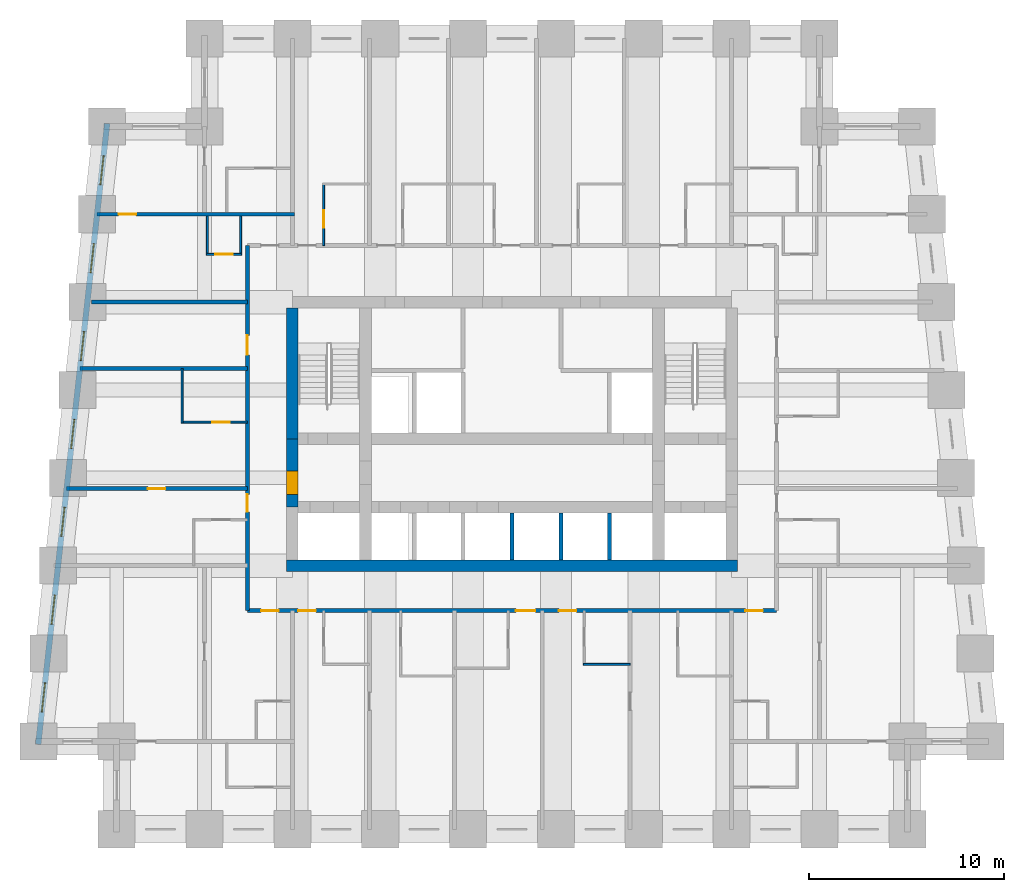
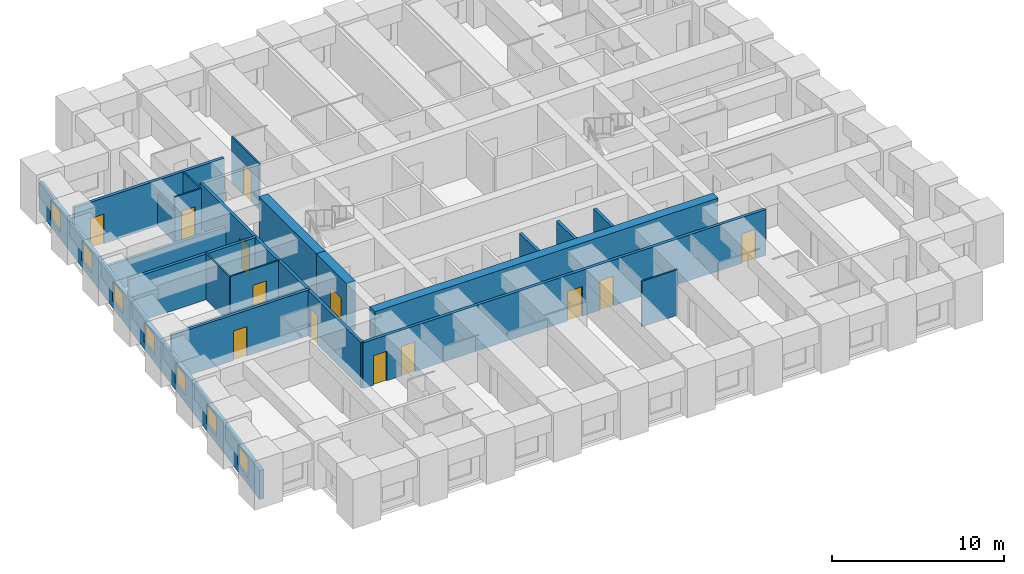
# One storey, part 3 of 8: 20 walls, 13 doors, 7 windows, 20 openings.
"""IFC4 building model written with IfcOpenShell, lengths in metres."""

from ifc_helpers import new_model, si_unit, direction, frame, frame_2d, origin, place, context, subcontext, project, spatial, rectangle, extrude, material, layer, layer_set, type_object, element, fill, save


model = new_model("IFC4")

# Units and contexts
model_context = context("Model", 3, precision=1e-05, world=origin(), true_north=direction((0.0, 1.0)))
body_context = subcontext(model_context, "Body", "Model", "MODEL_VIEW")
ifc_project = project(units=[si_unit("LENGTHUNIT", "METRE"), si_unit("AREAUNIT", "SQUARE_METRE"), si_unit("VOLUMEUNIT", "CUBIC_METRE"), si_unit("PLANEANGLEUNIT", "RADIAN"), si_unit("MASSUNIT", "GRAM", prefix="KILO")], contexts=[model_context])

# Site, building, storey
site_placement = place(None, origin())
site = spatial("IfcSite", under=ifc_project, at=site_placement, CompositionType="ELEMENT")
building_placement = place(site_placement, origin())
building = spatial("IfcBuilding", under=site, at=building_placement, Name="Kilele Tower Hotel", CompositionType="ELEMENT")
storey_placement = place(building_placement, frame((0.0, 0.0, 50.699951171875)))
storey = spatial("IfcBuildingStorey", under=building, at=storey_placement, Name="L11", CompositionType="ELEMENT", Elevation=50.699951171875)

# Wall
ifc_material_1 = material(Name="Moisture-resistant board")
ifc_layer_1 = layer(ifc_material_1, 0.10009765625)
ifc_layer_set_1 = layer_set([ifc_layer_1], Name="Moisture-resistant board")
wall_type_1 = type_object("IfcWallType", Name="Bathroom partition 100", PredefinedType="PLUMBINGWALL", material=ifc_layer_set_1)
wall_1_placement = place(storey_placement, frame((28.39990234375, 8.449951171875, 0.0), z_axis=(0.0, 0.0, 1.0), x_axis=(1.0, 0.0, 0.0)))
element("IfcWall", 1, at=wall_1_placement, inside=storey, type_object=wall_type_1, Name="Bathroom partition 100 L11", PredefinedType="PLUMBINGWALL", context=body_context, shape_type="SweptSolid", body=[
    extrude(rectangle(XDim=2.400146484375, YDim=0.10009765625, at=frame_2d((1.2001953125, 0.0))), origin(), (0.0, 0.0, 1.0), 3.25),
])

# Wall, opening, door
wall_2_placement = place(storey_placement, frame((15.10009765625, 29.89990234375, 0.0), z_axis=(0.0, 0.0, 1.0), x_axis=(0.0, 1.0, 0.0)))
wall_2 = element("IfcWall", 2, at=wall_2_placement, inside=storey, type_object=wall_type_1, Name="Bathroom partition 100 L11", PredefinedType="PLUMBINGWALL", context=body_context, shape_type="SweptSolid", body=[
    extrude(rectangle(XDim=3.2001953125, YDim=0.10009765625, at=frame_2d((1.60009765625, 0.0))), origin(), (0.0, 0.0, 1.0), 3.25),
])
opening_1_placement = place(wall_2_placement, frame((0.89990234375, 0.0, 0.0)))
opening_1 = element("IfcOpeningElement", 3, at=opening_1_placement, cuts=wall_2, Name="Opening D2A", PredefinedType="OPENING", context=body_context, shape_type="SweptSolid", body=[
    extrude(rectangle(XDim=0.89990234375, YDim=2.10009765625, at=frame_2d((0.449951171875, 1.050048828125))), frame((0.0, 0.06005859375, 0.0), z_axis=(0.0, -1.0, 0.0), x_axis=(1.0, 0.0, 0.0)), (0.0, 0.0, 1.0), 0.1201171875),
])
ifc_material_2 = material(Name="Timber door leaf in hardwood frame", Category="wood")
door_type_1 = type_object("IfcDoorType", Name="Bathroom door 900", OperationType="SINGLE_SWING_LEFT", PredefinedType="DOOR", material=ifc_material_2)
door_1_placement = place(opening_1_placement, origin())
door_1 = element("IfcDoor", 4, at=door_1_placement, inside=storey, type_object=door_type_1, Name="Bathroom door 1109B", OperationType="SINGLE_SWING_LEFT", OverallHeight=2.10009765625, OverallWidth=0.89990234375, PredefinedType="DOOR", context=body_context, shape_type="SweptSolid", body=[
    extrude(rectangle(XDim=0.89990234375, YDim=2.10009765625, at=frame_2d((0.449951171875, 1.050048828125))), frame((0.0, 0.02490234375, 0.0), z_axis=(0.0, -1.0, 0.0), x_axis=(1.0, 0.0, 0.0)), (0.0, 0.0, 1.0), 0.050048828125),
])
fill(opening_1, door_1)

# Wall
wall_3_placement = place(storey_placement, frame((7.85009765625, 20.800048828125, 0.0), z_axis=(0.0, 0.0, 1.0), x_axis=(0.0, 1.0, 0.0)))
element("IfcWall", 5, at=wall_3_placement, inside=storey, type_object=wall_type_1, Name="Bathroom partition 100 L11", PredefinedType="PLUMBINGWALL", context=body_context, shape_type="SweptSolid", body=[
    extrude(rectangle(XDim=2.800048828125, YDim=0.10009765625, at=frame_2d((1.39990234375, 0.0))), origin(), (0.0, 0.0, 1.0), 3.25),
])

# Wall, opening, door
wall_4_placement = place(storey_placement, frame((11.199951171875, 20.85009765625, 0.0), z_axis=(0.0, 0.0, 1.0), x_axis=(-1.0, 0.0, 0.0)))
wall_4 = element("IfcWall", 6, at=wall_4_placement, inside=storey, type_object=wall_type_1, Name="Bathroom partition 100 L11", PredefinedType="PLUMBINGWALL", context=body_context, shape_type="SweptSolid", body=[
    extrude(rectangle(XDim=3.39990234375, YDim=0.10009765625, at=frame_2d((1.699951171875, 0.0))), origin(), (0.0, 0.0, 1.0), 3.25),
])
opening_2_placement = place(wall_4_placement, frame((0.89990234375, 0.0, 0.0)))
opening_2 = element("IfcOpeningElement", 7, at=opening_2_placement, cuts=wall_4, Name="Opening D2A", PredefinedType="OPENING", context=body_context, shape_type="SweptSolid", body=[
    extrude(rectangle(XDim=0.89990234375, YDim=2.10009765625, at=frame_2d((0.449951171875, 1.050048828125))), frame((0.0, 0.06005859375, 0.0), z_axis=(0.0, -1.0, 0.0), x_axis=(1.0, 0.0, 0.0)), (0.0, 0.0, 1.0), 0.1201171875),
])
door_2_placement = place(opening_2_placement, origin())
door_2 = element("IfcDoor", 8, at=door_2_placement, inside=storey, type_object=door_type_1, Name="Bathroom door 1115B", OperationType="SINGLE_SWING_LEFT", OverallHeight=2.10009765625, OverallWidth=0.89990234375, PredefinedType="DOOR", context=body_context, shape_type="SweptSolid", body=[
    extrude(rectangle(XDim=0.89990234375, YDim=2.10009765625, at=frame_2d((0.449951171875, 1.050048828125))), frame((0.0, 0.02490234375, 0.0), z_axis=(0.0, -1.0, 0.0), x_axis=(1.0, 0.0, 0.0)), (0.0, 0.0, 1.0), 0.050048828125),
])
fill(opening_2, door_2)

# Walls
wall_5_placement = place(storey_placement, frame((9.14990234375, 31.39990234375, 0.0), z_axis=(0.0, 0.0, 1.0), x_axis=(0.0, -1.0, 0.0)))
element("IfcWall", 9, at=wall_5_placement, inside=storey, type_object=wall_type_1, Name="Bathroom partition 100 L11", PredefinedType="PLUMBINGWALL", context=body_context, shape_type="SweptSolid", body=[
    extrude(rectangle(XDim=2.0, YDim=0.10009765625, at=frame_2d((1.0, 0.0))), origin(), (0.0, 0.0, 1.0), 2.25),
])
wall_6_placement = place(storey_placement, frame((10.85009765625, 31.39990234375, 0.0), z_axis=(0.0, 0.0, 1.0), x_axis=(0.0, -1.0, 0.0)))
element("IfcWall", 10, at=wall_6_placement, inside=storey, type_object=wall_type_1, Name="Bathroom partition 100 L11", PredefinedType="PLUMBINGWALL", context=body_context, shape_type="SweptSolid", body=[
    extrude(rectangle(XDim=2.0, YDim=0.10009765625, at=frame_2d((1.0, 0.0))), origin(), (0.0, 0.0, 1.0), 3.25),
])

# Wall, opening, door
wall_7_placement = place(storey_placement, frame((10.89990234375, 29.449951171875, 0.0), z_axis=(0.0, 0.0, 1.0), x_axis=(-1.0, 0.0, 0.0)))
wall_7 = element("IfcWall", 11, at=wall_7_placement, inside=storey, type_object=wall_type_1, Name="Bathroom partition 100 L11", PredefinedType="PLUMBINGWALL", context=body_context, shape_type="SweptSolid", body=[
    extrude(rectangle(XDim=1.7998046875, YDim=0.10009765625, at=frame_2d((0.89990234375, 0.0))), origin(), (0.0, 0.0, 1.0), 3.25),
])
opening_3_placement = place(wall_7_placement, frame((0.449951171875, 0.0, 0.0)))
opening_3 = element("IfcOpeningElement", 12, at=opening_3_placement, cuts=wall_7, Name="Opening D2A", PredefinedType="OPENING", context=body_context, shape_type="SweptSolid", body=[
    extrude(rectangle(XDim=0.89990234375, YDim=2.10009765625, at=frame_2d((0.449951171875, 1.050048828125))), frame((0.0, 0.06005859375, 0.0), z_axis=(0.0, -1.0, 0.0), x_axis=(1.0, 0.0, 0.0)), (0.0, 0.0, 1.0), 0.1201171875),
])
door_3_placement = place(opening_3_placement, origin())
door_3 = element("IfcDoor", 13, at=door_3_placement, inside=storey, type_object=door_type_1, Name="Bathroom door 1126P", OperationType="SINGLE_SWING_LEFT", OverallHeight=2.10009765625, OverallWidth=0.89990234375, PredefinedType="DOOR", context=body_context, shape_type="SweptSolid", body=[
    extrude(rectangle(XDim=0.89990234375, YDim=2.10009765625, at=frame_2d((0.449951171875, 1.050048828125))), frame((0.0, 0.02490234375, 0.0), z_axis=(0.0, -1.0, 0.0), x_axis=(1.0, 0.0, 0.0)), (0.0, 0.0, 1.0), 0.050048828125),
])
fill(opening_3, door_3)

# Walls
ifc_material_3 = material(Name="Concrete C60/75", Category="concrete")
ifc_layer_2 = layer(ifc_material_3, 0.60009765625)
ifc_layer_set_2 = layer_set([ifc_layer_2], Name="Concrete C60/75")
wall_type_2 = type_object("IfcWallType", Name="Core wall 600 C60/75", PredefinedType="SHEAR", material=ifc_layer_set_2)
wall_8_placement = place(storey_placement, frame((13.199951171875, 13.5, 0.0), z_axis=(0.0, 0.0, 1.0), x_axis=(1.0, 0.0, 0.0)))
element("IfcWall", 14, at=wall_8_placement, inside=storey, type_object=wall_type_2, Name="Core wall S L11", PredefinedType="SHEAR", context=body_context, shape_type="SweptSolid", body=[
    extrude(rectangle(XDim=23.10009765625, YDim=0.60009765625, at=frame_2d((11.550048828125, 0.0))), origin(), (0.0, 0.0, 1.0), 3.5),
])
wall_9_placement = place(storey_placement, frame((13.5, 26.699951171875, 0.0), z_axis=(0.0, 0.0, 1.0), x_axis=(0.0, -1.0, 0.0)))
element("IfcWall", 15, at=wall_9_placement, inside=storey, type_object=wall_type_2, Name="Core wall W1 L11", PredefinedType="SHEAR", context=body_context, shape_type="SweptSolid", body=[
    extrude(rectangle(XDim=6.699951171875, YDim=0.60009765625, at=frame_2d((3.35009765625, 0.0))), origin(), (0.0, 0.0, 1.0), 3.5),
])

# Wall, opening, door
wall_10_placement = place(storey_placement, frame((13.5, 20.0, 0.0), z_axis=(0.0, 0.0, 1.0), x_axis=(0.0, -1.0, 0.0)))
wall_10 = element("IfcWall", 16, at=wall_10_placement, inside=storey, type_object=wall_type_2, Name="Core wall W2 L11", PredefinedType="SHEAR", context=body_context, shape_type="SweptSolid", body=[
    extrude(rectangle(XDim=3.5, YDim=0.60009765625, at=frame_2d((1.75, 0.0))), origin(), (0.0, 0.0, 1.0), 3.5),
])
opening_4_placement = place(wall_10_placement, frame((1.64990234375, 0.0, 0.0)))
opening_4 = element("IfcOpeningElement", 17, at=opening_4_placement, cuts=wall_10, Name="Opening D4", PredefinedType="OPENING", context=body_context, shape_type="SweptSolid", body=[
    extrude(rectangle(XDim=1.199951171875, YDim=2.10009765625, at=frame_2d((0.60009765625, 1.050048828125))), frame((0.0, 0.31005859375, 0.0), z_axis=(0.0, -1.0, 0.0), x_axis=(1.0, 0.0, 0.0)), (0.0, 0.0, 1.0), 0.6201171875),
])
ifc_material_4 = material(Name="Timber door leaf in hardwood frame", Category="wood")
door_type_2 = type_object("IfcDoorType", Name="Firefighting lobby door 1200", OperationType="SINGLE_SWING_LEFT", PredefinedType="DOOR", material=ifc_material_4)
door_4_placement = place(opening_4_placement, origin())
door_4 = element("IfcDoor", 18, at=door_4_placement, inside=storey, type_object=door_type_2, Name="Lobby door L11", OperationType="SINGLE_SWING_RIGHT", OverallHeight=2.10009765625, OverallWidth=1.199951171875, PredefinedType="DOOR", context=body_context, shape_type="SweptSolid", body=[
    extrude(rectangle(XDim=1.199951171875, YDim=2.10009765625, at=frame_2d((0.60009765625, 1.050048828125))), frame((0.0, 0.2998046875, 0.0), z_axis=(0.0, -1.0, 0.0), x_axis=(1.0, 0.0, 0.0)), (0.0, 0.0, 1.0), 0.599609375),
])
fill(opening_4, door_4)

# Wall, openings, doors
ifc_material_5 = material(Name="Blockwork, plastered both sides", Category="masonry")
ifc_layer_3 = layer(ifc_material_5, 0.199951171875)
ifc_layer_set_3 = layer_set([ifc_layer_3], Name="Blockwork, plastered both sides")
wall_type_3 = type_object("IfcWallType", Name="Corridor wall 200", PredefinedType="PARTITIONING", material=ifc_layer_set_3)
wall_11_placement = place(storey_placement, frame((11.199951171875, 11.199951171875, 0.0), z_axis=(0.0, 0.0, 1.0), x_axis=(1.0, 0.0, 0.0)))
wall_11 = element("IfcWall", 19, at=wall_11_placement, inside=storey, type_object=wall_type_3, Name="Corridor wall 200 L11", PredefinedType="PARTITIONING", context=body_context, shape_type="SweptSolid", body=[
    extrude(rectangle(XDim=27.10009765625, YDim=0.199951171875, at=frame_2d((13.550048828125, 0.0))), origin(), (0.0, 0.0, 1.0), 3.25),
])
opening_5_placement = place(wall_11_placement, frame((3.5, 0.0, 0.0), z_axis=(0.0, 0.0, 1.0), x_axis=(-1.0, 0.0, 0.0)))
opening_5 = element("IfcOpeningElement", 20, at=opening_5_placement, cuts=wall_11, Name="Opening D1", PredefinedType="OPENING", context=body_context, shape_type="SweptSolid", body=[
    extrude(rectangle(XDim=0.89990234375, YDim=2.10009765625, at=frame_2d((0.449951171875, 1.050048828125))), frame((0.0, 0.10986328125, 0.0), z_axis=(0.0, -1.0, 0.0), x_axis=(1.0, 0.0, 0.0)), (0.0, 0.0, 1.0), 0.219970703125),
])
opening_6_placement = place(wall_11_placement, frame((14.75, 0.0, 0.0), z_axis=(0.0, 0.0, 1.0), x_axis=(-1.0, 0.0, 0.0)))
opening_6 = element("IfcOpeningElement", 21, at=opening_6_placement, cuts=wall_11, Name="Opening D1A", PredefinedType="OPENING", context=body_context, shape_type="SweptSolid", body=[
    extrude(rectangle(XDim=1.0, YDim=2.10009765625, at=frame_2d((0.5, 1.050048828125))), frame((0.0, 0.10986328125, 0.0), z_axis=(0.0, -1.0, 0.0), x_axis=(1.0, 0.0, 0.0)), (0.0, 0.0, 1.0), 0.219970703125),
])
opening_7_placement = place(wall_11_placement, frame((16.849853515625, 0.0, 0.0), z_axis=(0.0, 0.0, 1.0), x_axis=(-1.0, 0.0, 0.0)))
opening_7 = element("IfcOpeningElement", 22, at=opening_7_placement, cuts=wall_11, Name="Opening D1", PredefinedType="OPENING", context=body_context, shape_type="SweptSolid", body=[
    extrude(rectangle(XDim=0.89990234375, YDim=2.10009765625, at=frame_2d((0.449951171875, 1.050048828125))), frame((0.0, 0.10986328125, 0.0), z_axis=(0.0, -1.0, 0.0), x_axis=(1.0, 0.0, 0.0)), (0.0, 0.0, 1.0), 0.219970703125),
])
opening_8_placement = place(wall_11_placement, frame((1.599853515625, 0.0, 0.0), z_axis=(0.0, 0.0, 1.0), x_axis=(-1.0, 0.0, 0.0)))
opening_8 = element("IfcOpeningElement", 23, at=opening_8_placement, cuts=wall_11, Name="Opening D1", PredefinedType="OPENING", context=body_context, shape_type="SweptSolid", body=[
    extrude(rectangle(XDim=0.89990234375, YDim=2.10009765625, at=frame_2d((0.449951171875, 1.050048828125))), frame((0.0, 0.10986328125, 0.0), z_axis=(0.0, -1.0, 0.0), x_axis=(1.0, 0.0, 0.0)), (0.0, 0.0, 1.0), 0.219970703125),
])
opening_9_placement = place(wall_11_placement, frame((26.39990234375, 0.0, 0.0), z_axis=(0.0, 0.0, 1.0), x_axis=(-1.0, 0.0, 0.0)))
opening_9 = element("IfcOpeningElement", 24, at=opening_9_placement, cuts=wall_11, Name="Opening D1", PredefinedType="OPENING", context=body_context, shape_type="SweptSolid", body=[
    extrude(rectangle(XDim=0.89990234375, YDim=2.10009765625, at=frame_2d((0.449951171875, 1.050048828125))), frame((0.0, 0.10986328125, 0.0), z_axis=(0.0, -1.0, 0.0), x_axis=(1.0, 0.0, 0.0)), (0.0, 0.0, 1.0), 0.219970703125),
])
ifc_material_6 = material(Name="Timber door leaf in hardwood frame", Category="wood")
door_type_3 = type_object("IfcDoorType", Name="Guest room entrance door 1000", OperationType="SINGLE_SWING_LEFT", PredefinedType="DOOR", material=ifc_material_6)
door_5_placement = place(opening_6_placement, origin())
door_5 = element("IfcDoor", 25, at=door_5_placement, inside=storey, type_object=door_type_3, Name="Room entrance 1103", OperationType="SINGLE_SWING_LEFT", OverallHeight=2.10009765625, OverallWidth=1.0, PredefinedType="DOOR", context=body_context, shape_type="SweptSolid", body=[
    extrude(rectangle(XDim=1.0, YDim=2.10009765625, at=frame_2d((0.5, 1.050048828125))), frame((0.0, 0.02490234375, 0.0), z_axis=(0.0, -1.0, 0.0), x_axis=(1.0, 0.0, 0.0)), (0.0, 0.0, 1.0), 0.050048828125),
])
fill(opening_6, door_5)
ifc_material_7 = material(Name="Timber door leaf in hardwood frame", Category="wood")
door_type_4 = type_object("IfcDoorType", Name="Guest room entrance door 900", OperationType="SINGLE_SWING_LEFT", PredefinedType="DOOR", material=ifc_material_7)
door_6_placement = place(opening_5_placement, origin())
door_6 = element("IfcDoor", 26, at=door_6_placement, inside=storey, type_object=door_type_4, Name="Room entrance 1101", OperationType="SINGLE_SWING_RIGHT", OverallHeight=2.10009765625, OverallWidth=0.89990234375, PredefinedType="DOOR", context=body_context, shape_type="SweptSolid", body=[
    extrude(rectangle(XDim=0.89990234375, YDim=2.10009765625, at=frame_2d((0.449951171875, 1.050048828125))), frame((0.0, 0.02490234375, 0.0), z_axis=(0.0, -1.0, 0.0), x_axis=(1.0, 0.0, 0.0)), (0.0, 0.0, 1.0), 0.050048828125),
])
fill(opening_5, door_6)
door_7_placement = place(opening_7_placement, origin())
door_7 = element("IfcDoor", 27, at=door_7_placement, inside=storey, type_object=door_type_4, Name="Room entrance 1104", OperationType="SINGLE_SWING_LEFT", OverallHeight=2.10009765625, OverallWidth=0.89990234375, PredefinedType="DOOR", context=body_context, shape_type="SweptSolid", body=[
    extrude(rectangle(XDim=0.89990234375, YDim=2.10009765625, at=frame_2d((0.449951171875, 1.050048828125))), frame((0.0, 0.02490234375, 0.0), z_axis=(0.0, -1.0, 0.0), x_axis=(1.0, 0.0, 0.0)), (0.0, 0.0, 1.0), 0.050048828125),
])
fill(opening_7, door_7)
door_8_placement = place(opening_8_placement, origin())
door_8 = element("IfcDoor", 28, at=door_8_placement, inside=storey, type_object=door_type_4, Name="Room entrance 1117", OperationType="SINGLE_SWING_LEFT", OverallHeight=2.10009765625, OverallWidth=0.89990234375, PredefinedType="DOOR", context=body_context, shape_type="SweptSolid", body=[
    extrude(rectangle(XDim=0.89990234375, YDim=2.10009765625, at=frame_2d((0.449951171875, 1.050048828125))), frame((0.0, 0.02490234375, 0.0), z_axis=(0.0, -1.0, 0.0), x_axis=(1.0, 0.0, 0.0)), (0.0, 0.0, 1.0), 0.050048828125),
])
fill(opening_8, door_8)
door_9_placement = place(opening_9_placement, origin())
door_9 = element("IfcDoor", 29, at=door_9_placement, inside=storey, type_object=door_type_4, Name="Room entrance 1120", OperationType="SINGLE_SWING_RIGHT", OverallHeight=2.10009765625, OverallWidth=0.89990234375, PredefinedType="DOOR", context=body_context, shape_type="SweptSolid", body=[
    extrude(rectangle(XDim=0.89990234375, YDim=2.10009765625, at=frame_2d((0.449951171875, 1.050048828125))), frame((0.0, 0.02490234375, 0.0), z_axis=(0.0, -1.0, 0.0), x_axis=(1.0, 0.0, 0.0)), (0.0, 0.0, 1.0), 0.050048828125),
])
fill(opening_9, door_9)

wall_12_placement = place(storey_placement, frame((11.199951171875, 11.199951171875, 0.0), z_axis=(0.0, 0.0, 1.0), x_axis=(0.0, 1.0, 0.0)))
wall_12 = element("IfcWall", 30, at=wall_12_placement, inside=storey, type_object=wall_type_3, Name="Corridor wall 200 L11", PredefinedType="PARTITIONING", context=body_context, shape_type="SweptSolid", body=[
    extrude(rectangle(XDim=18.699951171875, YDim=0.199951171875, at=frame_2d((9.35009765625, 0.0))), origin(), (0.0, 0.0, 1.0), 3.25),
])
opening_10_placement = place(wall_12_placement, frame((5.050048828125, 0.0, 0.0)))
opening_10 = element("IfcOpeningElement", 31, at=opening_10_placement, cuts=wall_12, Name="Opening D1", PredefinedType="OPENING", context=body_context, shape_type="SweptSolid", body=[
    extrude(rectangle(XDim=0.89990234375, YDim=2.10009765625, at=frame_2d((0.449951171875, 1.050048828125))), frame((0.0, 0.10986328125, 0.0), z_axis=(0.0, -1.0, 0.0), x_axis=(1.0, 0.0, 0.0)), (0.0, 0.0, 1.0), 0.219970703125),
])
opening_11_placement = place(wall_12_placement, frame((13.10009765625, 0.0, 0.0)))
opening_11 = element("IfcOpeningElement", 32, at=opening_11_placement, cuts=wall_12, Name="Opening D8", PredefinedType="OPENING", context=body_context, shape_type="SweptSolid", body=[
    extrude(rectangle(XDim=1.0, YDim=2.10009765625, at=frame_2d((0.5, 1.050048828125))), frame((0.0, 0.10986328125, 0.0), z_axis=(0.0, -1.0, 0.0), x_axis=(1.0, 0.0, 0.0)), (0.0, 0.0, 1.0), 0.219970703125),
])
ifc_material_8 = material(Name="Timber door leaf in hardwood frame", Category="wood")
door_type_5 = type_object("IfcDoorType", Name="Door 1000", OperationType="SINGLE_SWING_LEFT", PredefinedType="DOOR", material=ifc_material_8)
door_10_placement = place(opening_11_placement, origin())
door_10 = element("IfcDoor", 33, at=door_10_placement, inside=storey, type_object=door_type_5, Name="Room entrance 1116", OperationType="SINGLE_SWING_LEFT", OverallHeight=2.10009765625, OverallWidth=1.0, PredefinedType="DOOR", context=body_context, shape_type="SweptSolid", body=[
    extrude(rectangle(XDim=1.0, YDim=2.10009765625, at=frame_2d((0.5, 1.050048828125))), frame((0.0, 0.02490234375, 0.0), z_axis=(0.0, -1.0, 0.0), x_axis=(1.0, 0.0, 0.0)), (0.0, 0.0, 1.0), 0.050048828125),
])
fill(opening_11, door_10)
door_11_placement = place(opening_10_placement, origin())
door_11 = element("IfcDoor", 34, at=door_11_placement, inside=storey, type_object=door_type_4, Name="Room entrance 1114", OperationType="SINGLE_SWING_RIGHT", OverallHeight=2.10009765625, OverallWidth=0.89990234375, PredefinedType="DOOR", context=body_context, shape_type="SweptSolid", body=[
    extrude(rectangle(XDim=0.89990234375, YDim=2.10009765625, at=frame_2d((0.449951171875, 1.050048828125))), frame((0.0, 0.02490234375, 0.0), z_axis=(0.0, -1.0, 0.0), x_axis=(1.0, 0.0, 0.0)), (0.0, 0.0, 1.0), 0.050048828125),
])
fill(opening_10, door_11)

# Wall, opening, door
ifc_material_9 = material(Name="Blockwork, plastered both sides", Category="masonry")
ifc_layer_4 = layer(ifc_material_9, 0.199951171875)
ifc_layer_set_4 = layer_set([ifc_layer_4], Name="Blockwork, plastered both sides")
wall_type_4 = type_object("IfcWallType", Name="Party wall 200", PredefinedType="PARTITIONING", material=ifc_layer_set_4)
wall_13_placement = place(storey_placement, frame((11.199951171875, 17.449951171875, 0.0), z_axis=(0.0, 0.0, 1.0), x_axis=(-1.0, 0.0, 0.0)))
wall_13 = element("IfcWall", 35, at=wall_13_placement, inside=storey, type_object=wall_type_4, Name="Party wall 200 L11", PredefinedType="PARTITIONING", context=body_context, shape_type="SweptSolid", body=[
    extrude(rectangle(XDim=9.26025390625, YDim=0.199951171875, at=frame_2d((4.630126953125, 0.0))), origin(), (0.0, 0.0, 1.0), 3.25),
])
opening_12_placement = place(wall_13_placement, frame((4.199951171875, 0.0, 0.0)))
opening_12 = element("IfcOpeningElement", 36, at=opening_12_placement, cuts=wall_13, Name="Opening D3", PredefinedType="OPENING", context=body_context, shape_type="SweptSolid", body=[
    extrude(rectangle(XDim=0.89990234375, YDim=2.10009765625, at=frame_2d((0.449951171875, 1.050048828125))), frame((0.0, 0.10986328125, 0.0), z_axis=(0.0, -1.0, 0.0), x_axis=(1.0, 0.0, 0.0)), (0.0, 0.0, 1.0), 0.219970703125),
])
ifc_material_10 = material(Name="Timber door leaf in hardwood frame", Category="wood")
door_type_6 = type_object("IfcDoorType", Name="Suite internal door 900", OperationType="SINGLE_SWING_LEFT", PredefinedType="DOOR", material=ifc_material_10)
door_12_placement = place(opening_12_placement, origin())
door_12 = element("IfcDoor", 37, at=door_12_placement, inside=storey, type_object=door_type_6, Name="Suite door 1115", OperationType="SINGLE_SWING_RIGHT", OverallHeight=2.10009765625, OverallWidth=0.89990234375, PredefinedType="DOOR", context=body_context, shape_type="SweptSolid", body=[
    extrude(rectangle(XDim=0.89990234375, YDim=2.10009765625, at=frame_2d((0.449951171875, 1.050048828125))), frame((0.0, 0.02490234375, 0.0), z_axis=(0.0, -1.0, 0.0), x_axis=(1.0, 0.0, 0.0)), (0.0, 0.0, 1.0), 0.050048828125),
])
fill(opening_12, door_12)

# Walls
wall_14_placement = place(storey_placement, frame((11.199951171875, 23.60009765625, 0.0), z_axis=(0.0, 0.0, 1.0), x_axis=(-1.0, 0.0, 0.0)))
element("IfcWall", 38, at=wall_14_placement, inside=storey, type_object=wall_type_4, Name="Party wall 200 L11", PredefinedType="PARTITIONING", context=body_context, shape_type="SweptSolid", body=[
    extrude(rectangle(XDim=8.576904296875, YDim=0.199951171875, at=frame_2d((4.28857421875, 0.0))), origin(), (0.0, 0.0, 1.0), 3.25),
])
wall_15_placement = place(storey_placement, frame((11.199951171875, 27.0, 0.0), z_axis=(0.0, 0.0, 1.0), x_axis=(-1.0, 0.0, 0.0)))
element("IfcWall", 39, at=wall_15_placement, inside=storey, type_object=wall_type_4, Name="Party wall 200 L11", PredefinedType="PARTITIONING", context=body_context, shape_type="SweptSolid", body=[
    extrude(rectangle(XDim=7.976806640625, YDim=0.199951171875, at=frame_2d((3.98828125, 0.0))), origin(), (0.0, 0.0, 1.0), 1.949951171875),
])

# Wall, opening, door
wall_16_placement = place(storey_placement, frame((13.60009765625, 31.5, 0.0), z_axis=(0.0, 0.0, 1.0), x_axis=(-1.0, 0.0, 0.0)))
wall_16 = element("IfcWall", 40, at=wall_16_placement, inside=storey, type_object=wall_type_4, Name="Party wall 200 L11", PredefinedType="PARTITIONING", context=body_context, shape_type="SweptSolid", body=[
    extrude(rectangle(XDim=10.09912109375, YDim=0.199951171875, at=frame_2d((5.049560546875, 0.0))), origin(), (0.0, 0.0, 1.0), 3.25),
])
opening_13_placement = place(wall_16_placement, frame((8.9990234375, 0.0, 0.0), z_axis=(0.0, 0.0, 1.0), x_axis=(-1.0, 0.0, 0.0)))
opening_13 = element("IfcOpeningElement", 41, at=opening_13_placement, cuts=wall_16, Name="Opening D3", PredefinedType="OPENING", context=body_context, shape_type="SweptSolid", body=[
    extrude(rectangle(XDim=0.89990234375, YDim=2.10009765625, at=frame_2d((0.449951171875, 1.050048828125))), frame((0.0, 0.10986328125, 0.0), z_axis=(0.0, -1.0, 0.0), x_axis=(1.0, 0.0, 0.0)), (0.0, 0.0, 1.0), 0.219970703125),
])
door_13_placement = place(opening_13_placement, origin())
door_13 = element("IfcDoor", 42, at=door_13_placement, inside=storey, type_object=door_type_6, Name="Suite door 1127", OperationType="SINGLE_SWING_LEFT", OverallHeight=2.10009765625, OverallWidth=0.89990234375, PredefinedType="DOOR", context=body_context, shape_type="SweptSolid", body=[
    extrude(rectangle(XDim=0.89990234375, YDim=2.10009765625, at=frame_2d((0.449951171875, 1.050048828125))), frame((0.0, 0.02490234375, 0.0), z_axis=(0.0, -1.0, 0.0), x_axis=(1.0, 0.0, 0.0)), (0.0, 0.0, 1.0), 0.050048828125),
])
fill(opening_13, door_13)

# Wall, openings, windows
ifc_material_11 = material(Name="Concrete C40/50 precast", Category="concrete")
ifc_layer_5 = layer(ifc_material_11, 0.260009765625, Name="Precast backing", Category="LoadBearing")
ifc_material_12 = material(Name="Reconstituted stone finish", Category="masonry")
ifc_layer_6 = layer(ifc_material_12, 0.0400390625, Name="Face mix", Category="Finish")
ifc_layer_set_5 = layer_set([ifc_layer_5, ifc_layer_6], Name="Precast concrete C40/50, reconstituted stone finish")
wall_type_5 = type_object("IfcWallType", Name="Precast stone facade wall 300", PredefinedType="STANDARD", material=ifc_layer_set_5)
wall_17_placement = place(storey_placement, frame((4.0166015625, 36.149169921875, 0.0), z_axis=(0.0, 0.0, 1.0), x_axis=(-0.110433201132, -0.993883548555, 0.0)))
wall_17 = element("IfcWall", 43, at=wall_17_placement, inside=storey, type_object=wall_type_5, Name="Facade wall L11 edge 12", PredefinedType="STANDARD", context=body_context, shape_type="SweptSolid", body=[
    extrude(rectangle(XDim=31.994140625, YDim=0.300048828125, at=frame_2d((15.9970703125, 0.0))), origin(), (0.0, 0.0, 1.0), 2.050048828125),
])
opening_14_placement = place(wall_17_placement, frame((1.6640625, 0.0, 0.5)))
opening_14 = element("IfcOpeningElement", 44, at=opening_14_placement, cuts=wall_17, Name="Opening W1", PredefinedType="OPENING", context=body_context, shape_type="SweptSolid", body=[
    extrude(rectangle(XDim=1.5, YDim=1.39990234375, at=frame_2d((0.75, 0.699951171875))), frame((0.0, 0.159912109375, 0.0), z_axis=(0.0, -1.0, 0.0), x_axis=(1.0, 0.0, 0.0)), (0.0, 0.0, 1.0), 0.320068359375),
])
opening_15_placement = place(wall_17_placement, frame((6.19189453125, 0.0, 0.5)))
opening_15 = element("IfcOpeningElement", 45, at=opening_15_placement, cuts=wall_17, Name="Opening W1", PredefinedType="OPENING", context=body_context, shape_type="SweptSolid", body=[
    extrude(rectangle(XDim=1.5, YDim=1.39990234375, at=frame_2d((0.75, 0.699951171875))), frame((0.0, 0.159912109375, 0.0), z_axis=(0.0, -1.0, 0.0), x_axis=(1.0, 0.0, 0.0)), (0.0, 0.0, 1.0), 0.320068359375),
])
opening_16_placement = place(wall_17_placement, frame((10.718994140625, 0.0, 0.5)))
opening_16 = element("IfcOpeningElement", 46, at=opening_16_placement, cuts=wall_17, Name="Opening W1", PredefinedType="OPENING", context=body_context, shape_type="SweptSolid", body=[
    extrude(rectangle(XDim=1.5, YDim=1.39990234375, at=frame_2d((0.75, 0.699951171875))), frame((0.0, 0.159912109375, 0.0), z_axis=(0.0, -1.0, 0.0), x_axis=(1.0, 0.0, 0.0)), (0.0, 0.0, 1.0), 0.320068359375),
])
opening_17_placement = place(wall_17_placement, frame((15.2470703125, 0.0, 0.5)))
opening_17 = element("IfcOpeningElement", 47, at=opening_17_placement, cuts=wall_17, Name="Opening W1", PredefinedType="OPENING", context=body_context, shape_type="SweptSolid", body=[
    extrude(rectangle(XDim=1.5, YDim=1.39990234375, at=frame_2d((0.75, 0.699951171875))), frame((0.0, 0.159912109375, 0.0), z_axis=(0.0, -1.0, 0.0), x_axis=(1.0, 0.0, 0.0)), (0.0, 0.0, 1.0), 0.320068359375),
])
opening_18_placement = place(wall_17_placement, frame((19.77490234375, 0.0, 0.5)))
opening_18 = element("IfcOpeningElement", 48, at=opening_18_placement, cuts=wall_17, Name="Opening W1", PredefinedType="OPENING", context=body_context, shape_type="SweptSolid", body=[
    extrude(rectangle(XDim=1.5, YDim=1.39990234375, at=frame_2d((0.75, 0.699951171875))), frame((0.0, 0.159912109375, 0.0), z_axis=(0.0, -1.0, 0.0), x_axis=(1.0, 0.0, 0.0)), (0.0, 0.0, 1.0), 0.320068359375),
])
opening_19_placement = place(wall_17_placement, frame((24.302001953125, 0.0, 0.5)))
opening_19 = element("IfcOpeningElement", 49, at=opening_19_placement, cuts=wall_17, Name="Opening W1", PredefinedType="OPENING", context=body_context, shape_type="SweptSolid", body=[
    extrude(rectangle(XDim=1.5, YDim=1.39990234375, at=frame_2d((0.75, 0.699951171875))), frame((0.0, 0.159912109375, 0.0), z_axis=(0.0, -1.0, 0.0), x_axis=(1.0, 0.0, 0.0)), (0.0, 0.0, 1.0), 0.320068359375),
])
opening_20_placement = place(wall_17_placement, frame((28.830078125, 0.0, 0.5)))
opening_20 = element("IfcOpeningElement", 50, at=opening_20_placement, cuts=wall_17, Name="Opening W1", PredefinedType="OPENING", context=body_context, shape_type="SweptSolid", body=[
    extrude(rectangle(XDim=1.5, YDim=1.39990234375, at=frame_2d((0.75, 0.699951171875))), frame((0.0, 0.159912109375, 0.0), z_axis=(0.0, -1.0, 0.0), x_axis=(1.0, 0.0, 0.0)), (0.0, 0.0, 1.0), 0.320068359375),
])
ifc_material_13 = material(Name="Aluminium frame, clear double glazing", Category="aluminium")
window_type = type_object("IfcWindowType", Name="Window W1 1500 x 1400", PartitioningType="SINGLE_PANEL", PredefinedType="WINDOW", material=ifc_material_13)
window_1_placement = place(opening_14_placement, origin())
window_1 = element("IfcWindow", 51, at=window_1_placement, inside=storey, type_object=window_type, Name="Window L11", OverallHeight=1.39990234375, OverallWidth=1.5, PartitioningType="SINGLE_PANEL", PredefinedType="WINDOW", context=body_context, shape_type="SweptSolid", body=[
    extrude(rectangle(XDim=1.5, YDim=1.39990234375, at=frame_2d((0.75, 0.699951171875))), frame((0.0, 0.030029296875, 0.0), z_axis=(0.0, -1.0, 0.0), x_axis=(1.0, 0.0, 0.0)), (0.0, 0.0, 1.0), 0.06005859375),
])
fill(opening_14, window_1)
window_2_placement = place(opening_15_placement, origin())
window_2 = element("IfcWindow", 52, at=window_2_placement, inside=storey, type_object=window_type, Name="Window L11", OverallHeight=1.39990234375, OverallWidth=1.5, PartitioningType="SINGLE_PANEL", PredefinedType="WINDOW", context=body_context, shape_type="SweptSolid", body=[
    extrude(rectangle(XDim=1.5, YDim=1.39990234375, at=frame_2d((0.75, 0.699951171875))), frame((0.0, 0.030029296875, 0.0), z_axis=(0.0, -1.0, 0.0), x_axis=(1.0, 0.0, 0.0)), (0.0, 0.0, 1.0), 0.06005859375),
])
fill(opening_15, window_2)
window_3_placement = place(opening_16_placement, origin())
window_3 = element("IfcWindow", 53, at=window_3_placement, inside=storey, type_object=window_type, Name="Window L11", OverallHeight=1.39990234375, OverallWidth=1.5, PartitioningType="SINGLE_PANEL", PredefinedType="WINDOW", context=body_context, shape_type="SweptSolid", body=[
    extrude(rectangle(XDim=1.5, YDim=1.39990234375, at=frame_2d((0.75, 0.699951171875))), frame((0.0, 0.030029296875, 0.0), z_axis=(0.0, -1.0, 0.0), x_axis=(1.0, 0.0, 0.0)), (0.0, 0.0, 1.0), 0.06005859375),
])
fill(opening_16, window_3)
window_4_placement = place(opening_17_placement, origin())
window_4 = element("IfcWindow", 54, at=window_4_placement, inside=storey, type_object=window_type, Name="Window L11", OverallHeight=1.39990234375, OverallWidth=1.5, PartitioningType="SINGLE_PANEL", PredefinedType="WINDOW", context=body_context, shape_type="SweptSolid", body=[
    extrude(rectangle(XDim=1.5, YDim=1.39990234375, at=frame_2d((0.75, 0.699951171875))), frame((0.0, 0.030029296875, 0.0), z_axis=(0.0, -1.0, 0.0), x_axis=(1.0, 0.0, 0.0)), (0.0, 0.0, 1.0), 0.06005859375),
])
fill(opening_17, window_4)
window_5_placement = place(opening_18_placement, origin())
window_5 = element("IfcWindow", 55, at=window_5_placement, inside=storey, type_object=window_type, Name="Window L11", OverallHeight=1.39990234375, OverallWidth=1.5, PartitioningType="SINGLE_PANEL", PredefinedType="WINDOW", context=body_context, shape_type="SweptSolid", body=[
    extrude(rectangle(XDim=1.5, YDim=1.39990234375, at=frame_2d((0.75, 0.699951171875))), frame((0.0, 0.030029296875, 0.0), z_axis=(0.0, -1.0, 0.0), x_axis=(1.0, 0.0, 0.0)), (0.0, 0.0, 1.0), 0.06005859375),
])
fill(opening_18, window_5)
window_6_placement = place(opening_19_placement, origin())
window_6 = element("IfcWindow", 56, at=window_6_placement, inside=storey, type_object=window_type, Name="Window L11", OverallHeight=1.39990234375, OverallWidth=1.5, PartitioningType="SINGLE_PANEL", PredefinedType="WINDOW", context=body_context, shape_type="SweptSolid", body=[
    extrude(rectangle(XDim=1.5, YDim=1.39990234375, at=frame_2d((0.75, 0.699951171875))), frame((0.0, 0.030029296875, 0.0), z_axis=(0.0, -1.0, 0.0), x_axis=(1.0, 0.0, 0.0)), (0.0, 0.0, 1.0), 0.06005859375),
])
fill(opening_19, window_6)
window_7_placement = place(opening_20_placement, origin())
window_7 = element("IfcWindow", 57, at=window_7_placement, inside=storey, type_object=window_type, Name="Window L11", OverallHeight=1.39990234375, OverallWidth=1.5, PartitioningType="SINGLE_PANEL", PredefinedType="WINDOW", context=body_context, shape_type="SweptSolid", body=[
    extrude(rectangle(XDim=1.5, YDim=1.39990234375, at=frame_2d((0.75, 0.699951171875))), frame((0.0, 0.030029296875, 0.0), z_axis=(0.0, -1.0, 0.0), x_axis=(1.0, 0.0, 0.0)), (0.0, 0.0, 1.0), 0.06005859375),
])
fill(opening_20, window_7)

# Walls
ifc_material_14 = material(Name="Blockwork, fire-rated", Category="masonry")
ifc_layer_7 = layer(ifc_material_14, 0.199951171875)
ifc_layer_set_6 = layer_set([ifc_layer_7], Name="Blockwork, fire-rated")
wall_type_6 = type_object("IfcWallType", Name="Shaft wall 200", PredefinedType="PARTITIONING", material=ifc_layer_set_6)
for number, where, z_axis, x_axis, name in (
    (58, (24.75, 13.800048828125, 0.0), (0.0, 0.0, 1.0), (0.0, 1.0, 0.0), "Shaft wall 200 L11"),
    (59, (27.25, 13.800048828125, 0.0), (0.0, 0.0, 1.0), (0.0, 1.0, 0.0), "Shaft wall 200 L11"),
    (60, (29.75, 13.800048828125, 0.0), (0.0, 0.0, 1.0), (0.0, 1.0, 0.0), "Shaft wall 200 L11"),
):
    element("IfcWall", number, at=place(storey_placement, frame(where, z_axis=z_axis, x_axis=x_axis)), inside=storey, type_object=wall_type_6, Name=name, PredefinedType="PARTITIONING", context=body_context, shape_type="SweptSolid", body=[
        extrude(rectangle(XDim=2.39990234375, YDim=0.199951171875, at=frame_2d((1.199951171875, 0.0))), origin(), (0.0, 0.0, 1.0), 3.25),
    ])

save(model, "model.ifc")
